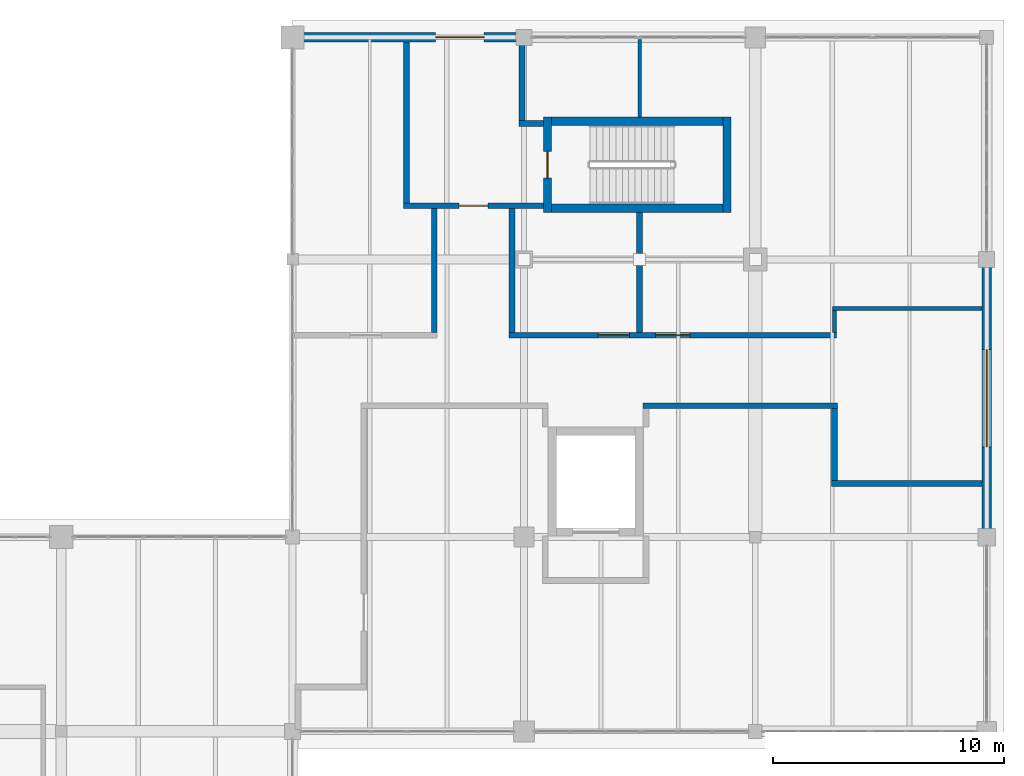
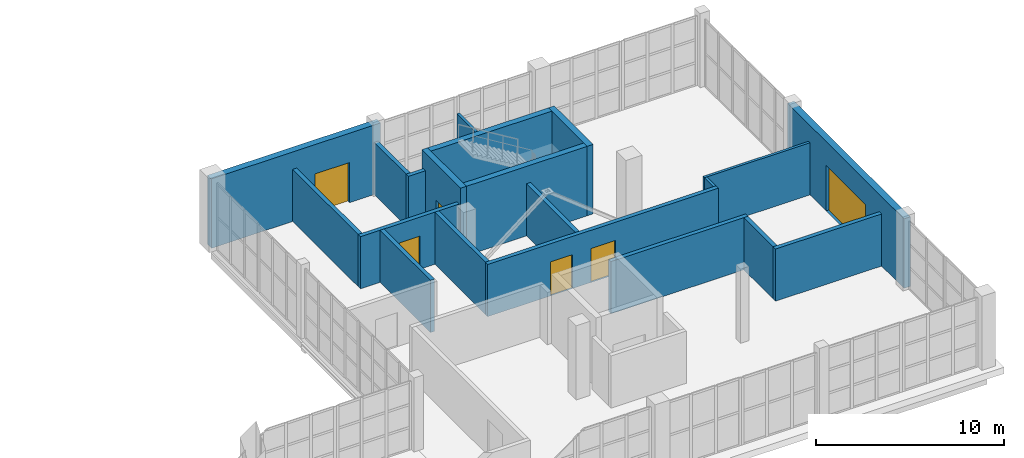
# One storey, part 105 of 121: 20 walls, 6 doors, 6 openings.
"""IFC4 building model written with IfcOpenShell, lengths in metres."""

import ifcopenshell
import ifcopenshell.guid

model = None  # the IFC model being written
_history = None  # IfcOwnerHistory: only IFC2X3 demands one
_inside = {}  # id of a spatial element -> (the spatial element, [elements in it])
_under = {}  # id of a project, library or spatial element -> (it, [spatial elements below it])
_declared = {}  # id of a project -> (the project, [libraries it declares])
_typed = {}  # id of a type object -> (the type object, [elements of that type])
_made_of = {}  # id of a material, layer set ... -> (it, [elements and type objects made of it])


def new_model(schema):
    """Start an empty IFC model of exactly this schema.

    Asked for "IFC4X3", IfcOpenShell would pick the latest addendum, in which some entities
    have other attributes; the version numbers below select the first issue.
    IFC2X3 requires an IfcOwnerHistory on every rooted entity: one is made here for all.
    """
    global model, _history
    if schema == "IFC4X3":
        model = ifcopenshell.file(schema_version=(4, 3, 0, 0))
    else:
        model = ifcopenshell.file(schema=schema)
    _inside.clear()
    _under.clear()
    _declared.clear()
    _typed.clear()
    _made_of.clear()
    _history = None
    if model.schema == "IFC2X3":
        org = make("IfcOrganization", Name="unknown")
        user = make(
            "IfcPersonAndOrganization",
            ThePerson=make("IfcPerson", FamilyName="unknown"),
            TheOrganization=org,
        )
        app = make(
            "IfcApplication",
            ApplicationDeveloper=org,
            Version="unknown",
            ApplicationFullName="unknown",
            ApplicationIdentifier="unknown",
        )
        _history = make(
            "IfcOwnerHistory",
            OwningUser=user,
            OwningApplication=app,
            ChangeAction="ADDED",
            CreationDate=0,
        )
    return model


def make(cls, **values):
    """One entity of the class cls with the attributes given. An attribute that is None is left unset."""
    return model.create_entity(
        cls, **{name: value for name, value in values.items() if value is not None}
    )


def rooted(cls, **values):
    """An entity with a GlobalId (a new one), such as an element, a storey or a relation."""
    return make(cls, GlobalId=ifcopenshell.guid.new(), OwnerHistory=_history, **values)


def si_unit(unit_type, name, prefix=None):
    """IfcSIUnit, for example si_unit("LENGTHUNIT", "METRE", prefix="MILLI")."""
    return make("IfcSIUnit", UnitType=unit_type, Prefix=prefix, Name=name)


def assignment(units):
    """IfcUnitAssignment: the units of a project."""
    return None if units is None else make("IfcUnitAssignment", Units=units)


def point(xyz):
    """IfcCartesianPoint."""
    return None if xyz is None else make("IfcCartesianPoint", Coordinates=xyz)


def direction(xyz):
    """IfcDirection."""
    return None if xyz is None else make("IfcDirection", DirectionRatios=xyz)


def frame(location, z_axis=None, x_axis=None):
    """IfcAxis2Placement3D, a coordinate frame: its origin and axes. An axis left out is left unset."""
    return make(
        "IfcAxis2Placement3D",
        Location=point(location),
        Axis=direction(z_axis),
        RefDirection=direction(x_axis),
    )


def frame_2d(location, x_axis=None):
    """IfcAxis2Placement2D, a coordinate frame in the plane: its origin and x axis."""
    return make(
        "IfcAxis2Placement2D", Location=point(location), RefDirection=direction(x_axis)
    )


def origin():
    """The frame at (0, 0, 0) with its axes left unset."""
    return frame((0.0, 0.0, 0.0))


def place(relative_to, where):
    """IfcLocalPlacement: puts the frame where relative to a parent placement (None: the world)."""
    return make(
        "IfcLocalPlacement", PlacementRelTo=relative_to, RelativePlacement=where
    )


def context(
    kind, dimensions, precision=None, world=None, true_north=None, identifier=None
):
    """IfcGeometricRepresentationContext, for example the 3D "Model" context."""
    return make(
        "IfcGeometricRepresentationContext",
        ContextIdentifier=identifier,
        ContextType=kind,
        CoordinateSpaceDimension=dimensions,
        Precision=precision,
        WorldCoordinateSystem=world,
        TrueNorth=true_north,
    )


def subcontext(parent, identifier, kind, view, scale=None):
    """IfcGeometricRepresentationSubContext, for example "Body" below "Model"."""
    return make(
        "IfcGeometricRepresentationSubContext",
        ContextIdentifier=identifier,
        ContextType=kind,
        ParentContext=parent,
        TargetScale=scale,
        TargetView=view,
    )


def project(units=None, contexts=None):
    """IfcProject with its units and contexts."""
    return rooted(
        "IfcProject",
        Name="project",
        RepresentationContexts=contexts,
        UnitsInContext=assignment(units),
    )


def spatial(cls, under=None, at=None, **own):
    """A site, building, storey or space (cls), placed at a placement, below another one or the project."""
    s = rooted(cls, ObjectPlacement=at, **own)
    if under is not None:
        _under.setdefault(under.id(), (under, []))[1].append(s)
    return s


def profile(cls, at=None, kind="AREA", **sizes):
    """A parametric profile (cls). Its sizes go by their IFC names, for example OverallWidth=200.0."""
    return make(cls, ProfileType=kind, Position=at, **sizes)


def rectangle(**sizes):
    """IfcRectangleProfileDef."""
    return profile("IfcRectangleProfileDef", **sizes)


def extrude(swept, where, along, depth):
    """IfcExtrudedAreaSolid: the profile swept, set in the frame where, extruded along a direction by depth."""
    return make(
        "IfcExtrudedAreaSolid",
        SweptArea=swept,
        Position=where,
        ExtrudedDirection=direction(along),
        Depth=depth,
    )


def shape(context_of_items, identifier, shape_type, items):
    """IfcShapeRepresentation: the items that make up one representation, for example the "Body"."""
    return make(
        "IfcShapeRepresentation",
        ContextOfItems=context_of_items,
        RepresentationIdentifier=identifier,
        RepresentationType=shape_type,
        Items=items,
    )


def material(Name=None, Category=None):
    """IfcMaterial."""
    return make("IfcMaterial", Name=Name, Category=Category)


def layer(
    of_material, thickness, ventilated=None, Name=None, Category=None, Priority=None
):
    """IfcMaterialLayer: one layer of a wall or slab, of a material (None: an air gap)."""
    return make(
        "IfcMaterialLayer",
        Material=of_material,
        LayerThickness=thickness,
        IsVentilated=ventilated,
        Name=Name,
        Category=Category,
        Priority=Priority,
    )


def layer_set(layers, Name=None):
    """IfcMaterialLayerSet."""
    return make("IfcMaterialLayerSet", MaterialLayers=layers, LayerSetName=Name)


def made_of(thing, what):
    """Note that an element or type object is made of a material, layer set ...; save() writes the relation."""
    if what is not None:
        _made_of.setdefault(what.id(), (what, []))[1].append(thing)
    return thing


def type_object(cls, material=None, **own):
    """A type object (cls), such as IfcWallType, which elements share."""
    return made_of(rooted(cls, **own), material)


def element(
    cls,
    number,
    at=None,
    inside=None,
    cuts=None,
    type_object=None,
    material=None,
    context=None,
    identifier="Body",
    shape_type=None,
    held_by="IfcProductDefinitionShape",
    body=None,
    shapes=None,
    **own,
):
    """One element of the class cls, such as IfcWall. Its Tag is "e" and its number.

    at: its placement. inside: the storey or other place that contains it. cuts: it is an
    opening in that element (IfcRelVoidsElement). A single representation is given by context,
    identifier, shape_type and body (its items); several are given by shapes. held_by: the class
    of the entity that holds the representations. save() writes the other relations.
    """
    e = rooted(cls, Tag="e%d" % number, ObjectPlacement=at, **own)
    if body is not None:
        shapes = [shape(context, identifier, shape_type, body)]
    if shapes is not None:
        e.Representation = make(held_by, Representations=shapes)
    if inside is not None:
        _inside.setdefault(inside.id(), (inside, []))[1].append(e)
    if cuts is not None:
        rooted(
            "IfcRelVoidsElement", RelatingBuildingElement=cuts, RelatedOpeningElement=e
        )
    if type_object is not None:
        _typed.setdefault(type_object.id(), (type_object, []))[1].append(e)
    return made_of(e, material)


def fill(opening, filler):
    """IfcRelFillsElement: the door or window that sits in an opening."""
    return rooted(
        "IfcRelFillsElement",
        RelatingOpeningElement=opening,
        RelatedBuildingElement=filler,
    )


def aggregate(whole, parts):
    """IfcRelAggregates: a whole, such as a stair, and the parts it consists of."""
    return rooted("IfcRelAggregates", RelatingObject=whole, RelatedObjects=parts)


def save(model, path):
    """Write the relations noted so far, then the file.

    IfcRelAggregates (storeys below a building ...), IfcRelContainedInSpatialStructure (elements
    in a storey), IfcRelDefinesByType, IfcRelAssociatesMaterial and IfcRelDeclares: one each for
    every whole, place, type object, material and project.
    """
    for whole, parts in _under.values():
        aggregate(whole, parts)
    for where, things in _inside.values():
        rooted(
            "IfcRelContainedInSpatialStructure",
            RelatedElements=things,
            RelatingStructure=where,
        )
    for kind, things in _typed.values():
        rooted("IfcRelDefinesByType", RelatedObjects=things, RelatingType=kind)
    for what, things in _made_of.values():
        rooted("IfcRelAssociatesMaterial", RelatedObjects=things, RelatingMaterial=what)
    for by, libraries in _declared.values():
        rooted("IfcRelDeclares", RelatingContext=by, RelatedDefinitions=libraries)
    model.write(path)


model = new_model("IFC4")

# Units and contexts
model_context = context("Model", 3, precision=1e-05, world=origin(), true_north=direction((0.0, 1.0)))
body_context = subcontext(model_context, "Body", "Model", "MODEL_VIEW")
ifc_project = project(units=[si_unit("LENGTHUNIT", "METRE"), si_unit("AREAUNIT", "SQUARE_METRE"), si_unit("VOLUMEUNIT", "CUBIC_METRE"), si_unit("PLANEANGLEUNIT", "RADIAN"), si_unit("MASSUNIT", "GRAM", prefix="KILO")], contexts=[model_context])

# Site, building, storey
site_placement = place(None, origin())
site = spatial("IfcSite", under=ifc_project, at=site_placement, CompositionType="ELEMENT")
building_placement = place(site_placement, origin())
building = spatial("IfcBuilding", under=site, at=building_placement, Name="Zereglee Splitstone Museum", CompositionType="ELEMENT")
storey_placement = place(building_placement, origin())
storey = spatial("IfcBuildingStorey", under=building, at=storey_placement, Name="L00", CompositionType="ELEMENT", Elevation=0.0)

# Wall, opening, door
ifc_material_1 = material(Name="Concrete C45/55", Category="concrete")
ifc_layer_1 = layer(ifc_material_1, 0.360107421875)
ifc_layer_set_1 = layer_set([ifc_layer_1], Name="Concrete C45/55")
wall_type_1 = type_object("IfcWallType", Name="CSW-02", PredefinedType="SHEAR", material=ifc_layer_set_1)
wall_1_placement = place(storey_placement, frame((307.02001953125, 52.43994140625, 0.0), z_axis=(0.0, 0.0, 1.0), x_axis=(0.0, 1.0, 0.0)))
wall_1 = element("IfcWall", 1, at=wall_1_placement, inside=storey, type_object=wall_type_1, Name="Stair Core Shear Wall ST-08 L00 West", PredefinedType="SHEAR", context=body_context, shape_type="SweptSolid", body=[
    extrude(rectangle(XDim=4.1201171875, YDim=0.360107421875, at=frame_2d((2.06005859375, 0.0))), origin(), (0.0, 0.0, 1.0), 4.5),
])
opening_1_placement = place(wall_1_placement, frame((1.485107421875, 0.0, 0.0)))
opening_1 = element("IfcOpeningElement", 2, at=opening_1_placement, cuts=wall_1, Name="Opening ID-03", PredefinedType="OPENING", context=body_context, shape_type="SweptSolid", body=[
    extrude(rectangle(XDim=1.14990234375, YDim=2.14990234375, at=frame_2d((0.574951171875, 1.074951171875))), frame((0.0, 0.19482421875, 0.0), z_axis=(0.0, -1.0, 0.0), x_axis=(1.0, 0.0, 0.0)), (0.0, 0.0, 1.0), 0.389892578125),
])
ifc_material_2 = material(Name="Fire-rated steel and Siberian larch leaf", Category="steel")
door_type_1 = type_object("IfcDoorType", Name="ID-03", OperationType="NOTDEFINED", PredefinedType="DOOR", material=ifc_material_2)
door_1_placement = place(opening_1_placement, origin())
door_1 = element("IfcDoor", 3, at=door_1_placement, inside=storey, type_object=door_type_1, Name="Protected Stair Fire Door ST-08 L00", OperationType="SINGLE_SWING_RIGHT", OverallHeight=2.14990234375, OverallWidth=1.14990234375, PredefinedType="DOOR", context=body_context, shape_type="SweptSolid", body=[
    extrude(rectangle(XDim=1.14990234375, YDim=2.14990234375, at=frame_2d((0.574951171875, 1.074951171875))), frame((0.0, 0.02490234375, 0.0), z_axis=(0.0, -1.0, 0.0), x_axis=(1.0, 0.0, 0.0)), (0.0, 0.0, 1.0), 0.050048828125),
])
fill(opening_1, door_1)

# Walls
wall_2_placement = place(storey_placement, frame((314.780029296875, 52.43994140625, 0.0), z_axis=(0.0, 0.0, 1.0), x_axis=(0.0, 1.0, 0.0)))
element("IfcWall", 4, at=wall_2_placement, inside=storey, type_object=wall_type_1, Name="Stair Core Shear Wall ST-08 L00 East", PredefinedType="SHEAR", context=body_context, shape_type="SweptSolid", body=[
    extrude(rectangle(XDim=4.1201171875, YDim=0.360107421875, at=frame_2d((2.06005859375, 0.0))), origin(), (0.0, 0.0, 1.0), 4.5),
])
for number, where, z_axis, x_axis, name in (
    (5, (307.199951171875, 56.3798828125, 0.0), (0.0, 0.0, 1.0), (1.0, 0.0, 0.0), "Stair Core Shear Wall ST-08 L00 North"),
    (6, (307.199951171875, 52.6201171875, 0.0), (0.0, 0.0, 1.0), (1.0, 0.0, 0.0), "Stair Core Shear Wall ST-08 L00 South"),
):
    element("IfcWall", number, at=place(storey_placement, frame(where, z_axis=z_axis, x_axis=x_axis)), inside=storey, type_object=wall_type_1, Name=name, PredefinedType="SHEAR", context=body_context, shape_type="SweptSolid", body=[
        extrude(rectangle(XDim=7.400146484375, YDim=0.360107421875, at=frame_2d((3.7001953125, 0.0))), origin(), (0.0, 0.0, 1.0), 4.5),
    ])

# Wall, opening, door
ifc_material_3 = material(Name="Concrete C40/50", Category="concrete")
ifc_layer_2 = layer(ifc_material_3, 0.39990234375)
ifc_layer_set_2 = layer_set([ifc_layer_2], Name="Concrete C40/50")
wall_type_2 = type_object("IfcWallType", Name="EW-02", PredefinedType="STANDARD", material=ifc_layer_set_2)
wall_3_placement = place(storey_placement, frame((326.0, 38.219970703125, 0.0), z_axis=(0.0, 0.0, 1.0), x_axis=(0.0, 1.0, 0.0)))
wall_3 = element("IfcWall", 7, at=wall_3_placement, inside=storey, type_object=wall_type_2, Name="Exterior Backup Wall RC4-EW-L00-0005", PredefinedType="STANDARD", context=body_context, shape_type="SweptSolid", body=[
    extrude(rectangle(XDim=12.360107421875, YDim=0.39990234375, at=frame_2d((6.18017578125, 0.0))), origin(), (0.0, 0.0, 1.0), 4.5),
])
opening_2_placement = place(wall_3_placement, frame((4.080078125, 0.0, 0.0)))
opening_2 = element("IfcOpeningElement", 8, at=opening_2_placement, cuts=wall_3, Name="Opening ED-SH1", PredefinedType="OPENING", context=body_context, shape_type="SweptSolid", body=[
    extrude(rectangle(XDim=4.199951171875, YDim=2.949951171875, at=frame_2d((2.10009765625, 1.47509765625))), frame((0.0, 0.21484375, 0.0), z_axis=(0.0, -1.0, 0.0), x_axis=(1.0, 0.0, 0.0)), (0.0, 0.0, 1.0), 0.4296875),
])
ifc_material_4 = material(Name="Insulated galvanised steel roller shutter", Category="steel")
door_type_2 = type_object("IfcDoorType", Name="ED-SH1", OperationType="ROLLINGUP", PredefinedType="GATE", material=ifc_material_4)
door_2_placement = place(opening_2_placement, frame((4.199951171875, 0.0, 0.0), z_axis=(0.0, 0.0, 1.0), x_axis=(-1.0, 0.0, 0.0)))
door_2 = element("IfcDoor", 9, at=door_2_placement, inside=storey, type_object=door_type_2, Name="Loading Dock Insulated Roller Shutter Gate", OperationType="ROLLINGUP", OverallHeight=2.949951171875, OverallWidth=4.199951171875, PredefinedType="GATE", context=body_context, shape_type="SweptSolid", body=[
    extrude(rectangle(XDim=4.199951171875, YDim=2.949951171875, at=frame_2d((2.10009765625, 1.47509765625))), frame((0.0, 0.02490234375, 0.0), z_axis=(0.0, -1.0, 0.0), x_axis=(1.0, 0.0, 0.0)), (0.0, 0.0, 1.0), 0.050048828125),
])
fill(opening_2, door_2)

wall_4_placement = place(storey_placement, frame((306.179931640625, 60.0, 0.0), z_axis=(0.0, 0.0, 1.0), x_axis=(-1.0, 0.0, 0.0)))
wall_4 = element("IfcWall", 10, at=wall_4_placement, inside=storey, type_object=wall_type_2, Name="Exterior Backup Wall RC4-EW-L00-0006", PredefinedType="STANDARD", context=body_context, shape_type="SweptSolid", body=[
    extrude(rectangle(XDim=10.35986328125, YDim=0.39990234375, at=frame_2d((5.179931640625, 0.0))), origin(), (0.0, 0.0, 1.0), 4.5),
])
opening_3_placement = place(wall_4_placement, frame((1.89990234375, 0.0, 0.0)))
opening_3 = element("IfcOpeningElement", 11, at=opening_3_placement, cuts=wall_4, Name="Opening ED-02", PredefinedType="OPENING", context=body_context, shape_type="SweptSolid", body=[
    extrude(rectangle(XDim=2.10009765625, YDim=2.60009765625, at=frame_2d((1.050048828125, 1.300048828125))), frame((0.0, 0.21484375, 0.0), z_axis=(0.0, -1.0, 0.0), x_axis=(1.0, 0.0, 0.0)), (0.0, 0.0, 1.0), 0.4296875),
])
ifc_material_5 = material(Name="Anodised bronze-clad thermally broken aluminium", Category="aluminium")
door_type_3 = type_object("IfcDoorType", Name="ED-02", OperationType="DOUBLE_DOOR_SINGLE_SWING", PredefinedType="DOOR", material=ifc_material_5)
door_3_placement = place(opening_3_placement, frame((2.10009765625, 0.0, 0.0), z_axis=(0.0, 0.0, 1.0), x_axis=(-1.0, 0.0, 0.0)))
door_3 = element("IfcDoor", 12, at=door_3_placement, inside=storey, type_object=door_type_3, Name="Ground Protected Exit Door ED-L00-05", OperationType="DOUBLE_DOOR_SINGLE_SWING", OverallHeight=2.60009765625, OverallWidth=2.10009765625, PredefinedType="DOOR", context=body_context, shape_type="SweptSolid", body=[
    extrude(rectangle(XDim=2.10009765625, YDim=2.60009765625, at=frame_2d((1.050048828125, 1.300048828125))), frame((0.0, 0.02490234375, 0.0), z_axis=(0.0, -1.0, 0.0), x_axis=(1.0, 0.0, 0.0)), (0.0, 0.0, 1.0), 0.050048828125),
])
fill(opening_3, door_3)

# Walls
ifc_layer_3 = layer(ifc_material_3, 0.25)
ifc_layer_set_3 = layer_set([ifc_layer_3], Name="Concrete C40/50")
wall_type_3 = type_object("IfcWallType", Name="IW-03", PredefinedType="PARTITIONING", material=ifc_layer_set_3)
wall_5_placement = place(storey_placement, frame((319.294921875, 40.719970703125, 0.0), z_axis=(0.0, 0.0, 1.0), x_axis=(1.0, 0.0, 0.0)))
element("IfcWall", 13, at=wall_5_placement, inside=storey, type_object=wall_type_3, Name="Interior Partition L00-0218 (Natural History Collection Archive)", PredefinedType="PARTITIONING", context=body_context, shape_type="SweptSolid", body=[
    extrude(rectangle(XDim=6.505126953125, YDim=0.25, at=frame_2d((3.25244140625, 0.0))), origin(), (0.0, 0.0, 1.0), 3.3798828125),
])
wall_6_placement = place(storey_placement, frame((311.155029296875, 44.080078125, 0.0), z_axis=(0.0, 0.0, 1.0), x_axis=(1.0, 0.0, 0.0)))
element("IfcWall", 14, at=wall_6_placement, inside=storey, type_object=wall_type_3, Name="Interior Partition L00-0223 (Natural History Collection Archive)", PredefinedType="PARTITIONING", context=body_context, shape_type="SweptSolid", body=[
    extrude(rectangle(XDim=8.389892578125, YDim=0.25, at=frame_2d((4.19482421875, 0.0))), origin(), (0.0, 0.0, 1.0), 3.3798828125),
])

# Wall, openings, doors
wall_7_placement = place(storey_placement, frame((305.35498046875, 47.1201171875, 0.0), z_axis=(0.0, 0.0, 1.0), x_axis=(1.0, 0.0, 0.0)))
wall_7 = element("IfcWall", 15, at=wall_7_placement, inside=storey, type_object=wall_type_3, Name="Interior Partition L00-0228 (Enclosed Heated Loading Dock Suite)", PredefinedType="PARTITIONING", context=body_context, shape_type="SweptSolid", body=[
    extrude(rectangle(XDim=14.14501953125, YDim=0.25, at=frame_2d((7.072509765625, 0.0))), origin(), (0.0, 0.0, 1.0), 3.3798828125),
])
opening_4_placement = place(wall_7_placement, frame((3.851318359375, 0.0, 0.0)))
opening_4 = element("IfcOpeningElement", 16, at=opening_4_placement, cuts=wall_7, Name="Opening ID-08", PredefinedType="OPENING", context=body_context, shape_type="SweptSolid", body=[
    extrude(rectangle(XDim=1.35009765625, YDim=2.199951171875, at=frame_2d((0.675048828125, 1.10009765625))), frame((0.0, 0.139892578125, 0.0), z_axis=(0.0, -1.0, 0.0), x_axis=(1.0, 0.0, 0.0)), (0.0, 0.0, 1.0), 0.27978515625),
])
opening_5_placement = place(wall_7_placement, frame((6.322509765625, 0.0, 0.0)))
opening_5 = element("IfcOpeningElement", 17, at=opening_5_placement, cuts=wall_7, Name="Opening ID-07", PredefinedType="OPENING", context=body_context, shape_type="SweptSolid", body=[
    extrude(rectangle(XDim=1.5, YDim=2.199951171875, at=frame_2d((0.75, 1.10009765625))), frame((0.0, 0.139892578125, 0.0), z_axis=(0.0, -1.0, 0.0), x_axis=(1.0, 0.0, 0.0)), (0.0, 0.0, 1.0), 0.27978515625),
])
door_type_4 = type_object("IfcDoorType", Name="ID-07", OperationType="NOTDEFINED", PredefinedType="DOOR", material=ifc_material_2)
door_4_placement = place(opening_5_placement, origin())
door_4 = element("IfcDoor", 18, at=door_4_placement, inside=storey, type_object=door_type_4, Name="Interior Door L00-0056 (Specimen Receiving Conservation Laboratory)", OperationType="DOUBLE_DOOR_SINGLE_SWING", OverallHeight=2.199951171875, OverallWidth=1.5, PredefinedType="DOOR", context=body_context, shape_type="SweptSolid", body=[
    extrude(rectangle(XDim=1.5, YDim=2.199951171875, at=frame_2d((0.75, 1.10009765625))), frame((0.0, 0.02490234375, 0.0), z_axis=(0.0, -1.0, 0.0), x_axis=(1.0, 0.0, 0.0)), (0.0, 0.0, 1.0), 0.050048828125),
])
fill(opening_5, door_4)
door_type_5 = type_object("IfcDoorType", Name="ID-08", OperationType="NOTDEFINED", PredefinedType="DOOR", material=ifc_material_2)
door_5_placement = place(opening_4_placement, origin())
door_5 = element("IfcDoor", 19, at=door_5_placement, inside=storey, type_object=door_type_5, Name="Interior Door L00-0055 (Enclosed Heated Loading Dock Suite)", OperationType="SINGLE_SWING_RIGHT", OverallHeight=2.199951171875, OverallWidth=1.35009765625, PredefinedType="DOOR", context=body_context, shape_type="SweptSolid", body=[
    extrude(rectangle(XDim=1.35009765625, YDim=2.199951171875, at=frame_2d((0.675048828125, 1.10009765625))), frame((0.0, 0.02490234375, 0.0), z_axis=(0.0, -1.0, 0.0), x_axis=(1.0, 0.0, 0.0)), (0.0, 0.0, 1.0), 0.050048828125),
])
fill(opening_4, door_5)

# Wall, opening, door
wall_8_placement = place(storey_placement, frame((300.794921875, 52.719970703125, 0.0), z_axis=(0.0, 0.0, 1.0), x_axis=(1.0, 0.0, 0.0)))
wall_8 = element("IfcWall", 20, at=wall_8_placement, inside=storey, type_object=wall_type_3, Name="Interior Partition L00-0230 (Protected Exit Passageway ST-08)", PredefinedType="PARTITIONING", context=body_context, shape_type="SweptSolid", body=[
    extrude(rectangle(XDim=6.045166015625, YDim=0.25, at=frame_2d((3.0224609375, 0.0))), origin(), (0.0, 0.0, 1.0), 3.3798828125),
])
opening_6_placement = place(wall_8_placement, frame((2.3974609375, 0.0, 0.0)))
opening_6 = element("IfcOpeningElement", 21, at=opening_6_placement, cuts=wall_8, Name="Opening ID-04", PredefinedType="OPENING", context=body_context, shape_type="SweptSolid", body=[
    extrude(rectangle(XDim=1.25, YDim=2.14990234375, at=frame_2d((0.625, 1.074951171875))), frame((0.0, 0.139892578125, 0.0), z_axis=(0.0, -1.0, 0.0), x_axis=(1.0, 0.0, 0.0)), (0.0, 0.0, 1.0), 0.27978515625),
])
door_type_6 = type_object("IfcDoorType", Name="ID-04", OperationType="NOTDEFINED", PredefinedType="DOOR", material=ifc_material_2)
door_6_placement = place(opening_6_placement, origin())
door_6 = element("IfcDoor", 22, at=door_6_placement, inside=storey, type_object=door_type_6, Name="Interior Door L00-0028 (Protected Exit Passageway ST-08)", OperationType="SINGLE_SWING_LEFT", OverallHeight=2.14990234375, OverallWidth=1.25, PredefinedType="DOOR", context=body_context, shape_type="SweptSolid", body=[
    extrude(rectangle(XDim=1.25, YDim=2.14990234375, at=frame_2d((0.625, 1.074951171875))), frame((0.0, 0.02490234375, 0.0), z_axis=(0.0, -1.0, 0.0), x_axis=(1.0, 0.0, 0.0)), (0.0, 0.0, 1.0), 0.050048828125),
])
fill(opening_6, door_6)

# Walls
wall_9_placement = place(storey_placement, frame((305.794921875, 56.280029296875, 0.0), z_axis=(0.0, 0.0, 1.0), x_axis=(1.0, 0.0, 0.0)))
element("IfcWall", 23, at=wall_9_placement, inside=storey, type_object=wall_type_3, Name="Interior Partition L00-0231 (Protected Exit Passageway ST-08)", PredefinedType="PARTITIONING", context=body_context, shape_type="SweptSolid", body=[
    extrude(rectangle(XDim=1.045166015625, YDim=0.25, at=frame_2d((0.5224609375, 0.0))), origin(), (0.0, 0.0, 1.0), 3.3798828125),
])
wall_10_placement = place(storey_placement, frame((300.919921875, 52.844970703125, 0.0), z_axis=(0.0, 0.0, 1.0), x_axis=(0.0, 1.0, 0.0)))
element("IfcWall", 24, at=wall_10_placement, inside=storey, type_object=wall_type_3, Name="Interior Partition L00-0313 (Protected Exit Passageway ST-08)", PredefinedType="PARTITIONING", context=body_context, shape_type="SweptSolid", body=[
    extrude(rectangle(XDim=6.955078125, YDim=0.25, at=frame_2d((3.4775390625, 0.0))), origin(), (0.0, 0.0, 1.0), 3.3798828125),
])
for number, where, z_axis, x_axis, name in (
    (25, (302.1201171875, 47.2451171875, 0.0), (0.0, 0.0, 1.0), (0.0, 1.0, 0.0), "Interior Partition L00-0314 (Enclosed Heated Loading Dock)"),
    (26, (305.47998046875, 47.2451171875, 0.0), (0.0, 0.0, 1.0), (0.0, 1.0, 0.0), "Interior Partition L00-0315 (Enclosed Heated Loading Dock Suite)"),
):
    element("IfcWall", number, at=place(storey_placement, frame(where, z_axis=z_axis, x_axis=x_axis)), inside=storey, type_object=wall_type_3, Name=name, PredefinedType="PARTITIONING", context=body_context, shape_type="SweptSolid", body=[
        extrude(rectangle(XDim=5.349853515625, YDim=0.25, at=frame_2d((2.6748046875, 0.0))), origin(), (0.0, 0.0, 1.0), 3.3798828125),
    ])
wall_11_placement = place(storey_placement, frame((305.919921875, 56.199951171875, 0.0), z_axis=(0.0, 0.0, 1.0), x_axis=(0.0, 1.0, 0.0)))
element("IfcWall", 27, at=wall_11_placement, inside=storey, type_object=wall_type_3, Name="Interior Partition L00-0316 (Protected Exit Passageway ST-08)", PredefinedType="PARTITIONING", context=body_context, shape_type="SweptSolid", body=[
    extrude(rectangle(XDim=3.60009765625, YDim=0.25, at=frame_2d((1.800048828125, 0.0))), origin(), (0.0, 0.0, 1.0), 3.3798828125),
])
wall_12_placement = place(storey_placement, frame((311.0, 47.2451171875, 0.0), z_axis=(0.0, 0.0, 1.0), x_axis=(0.0, 1.0, 0.0)))
element("IfcWall", 28, at=wall_12_placement, inside=storey, type_object=wall_type_3, Name="Interior Partition L00-0319 (Enclosed Heated Loading Dock Suite)", PredefinedType="PARTITIONING", context=body_context, shape_type="SweptSolid", body=[
    extrude(rectangle(XDim=5.19482421875, YDim=0.25, at=frame_2d((2.597412109375, 0.0))), origin(), (0.0, 0.0, 1.0), 3.3798828125),
])
wall_13_placement = place(storey_placement, frame((319.419921875, 40.844970703125, 0.0), z_axis=(0.0, 0.0, 1.0), x_axis=(0.0, 1.0, 0.0)))
element("IfcWall", 29, at=wall_13_placement, inside=storey, type_object=wall_type_3, Name="Interior Partition L00-0323 (Natural History Collection Archive)", PredefinedType="PARTITIONING", context=body_context, shape_type="SweptSolid", body=[
    extrude(rectangle(XDim=3.110107421875, YDim=0.25, at=frame_2d((1.55517578125, 0.0))), origin(), (0.0, 0.0, 1.0), 3.3798828125),
])
ifc_material_6 = material(Name="Fire-rated gypsum board partition", Category="masonry")
ifc_layer_4 = layer(ifc_material_6, 0.159912109375)
ifc_layer_set_4 = layer_set([ifc_layer_4], Name="Fire-rated gypsum board partition")
wall_type_4 = type_object("IfcWallType", Name="IW-04", PredefinedType="PARTITIONING", material=ifc_layer_set_4)
wall_14_placement = place(storey_placement, frame((319.340087890625, 48.280029296875, 0.0), z_axis=(0.0, 0.0, 1.0), x_axis=(1.0, 0.0, 0.0)))
element("IfcWall", 30, at=wall_14_placement, inside=storey, type_object=wall_type_4, Name="Interior Partition L00-0229 (Specimen Receiving Conservation Laboratory)", PredefinedType="PARTITIONING", context=body_context, shape_type="SweptSolid", body=[
    extrude(rectangle(XDim=6.4599609375, YDim=0.159912109375, at=frame_2d((3.22998046875, 0.0))), origin(), (0.0, 0.0, 1.0), 3.3798828125),
])
wall_15_placement = place(storey_placement, frame((311.0, 56.56005859375, 0.0), z_axis=(0.0, 0.0, 1.0), x_axis=(0.0, 1.0, 0.0)))
element("IfcWall", 31, at=wall_15_placement, inside=storey, type_object=wall_type_4, Name="Interior Partition L00-0320 (Specimen Receiving Conservation Laboratory)", PredefinedType="PARTITIONING", context=body_context, shape_type="SweptSolid", body=[
    extrude(rectangle(XDim=3.349853515625, YDim=0.159912109375, at=frame_2d((1.6748046875, 0.0))), origin(), (0.0, 0.0, 1.0), 3.3798828125),
])
wall_16_placement = place(storey_placement, frame((319.419921875, 47.2451171875, 0.0), z_axis=(0.0, 0.0, 1.0), x_axis=(0.0, 1.0, 0.0)))
element("IfcWall", 32, at=wall_16_placement, inside=storey, type_object=wall_type_4, Name="Interior Partition L00-0324 (Specimen Receiving Conservation Laboratory)", PredefinedType="PARTITIONING", context=body_context, shape_type="SweptSolid", body=[
    extrude(rectangle(XDim=0.954833984375, YDim=0.159912109375, at=frame_2d((0.4775390625, 0.0))), origin(), (0.0, 0.0, 1.0), 3.3798828125),
])

save(model, "model.ifc")
